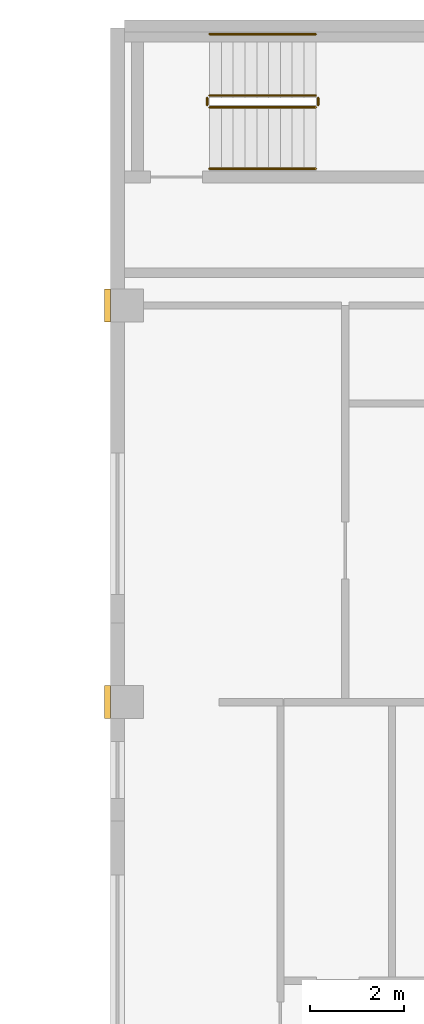
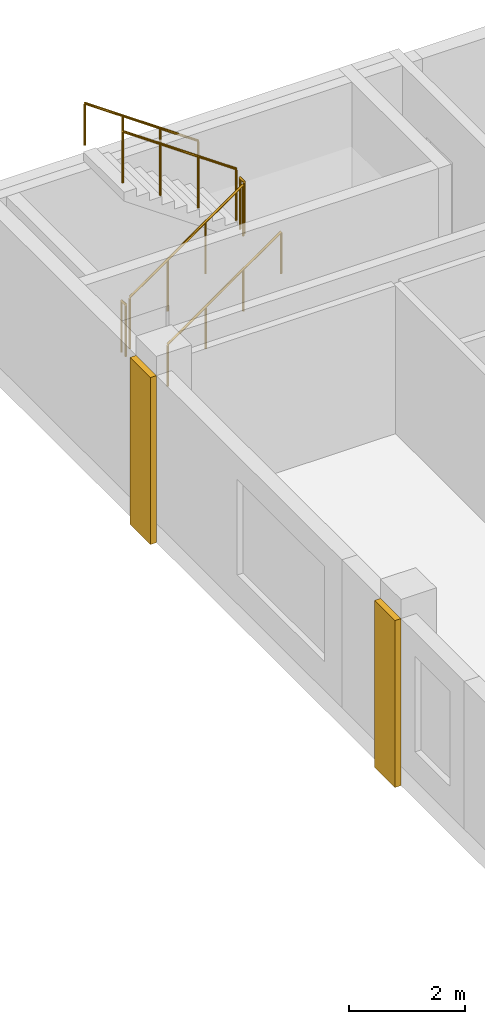
# One storey, part 10 of 10: 6 railings, 2 coverings.
"""IFC4 building model written with IfcOpenShell, lengths in metres."""

import ifcopenshell
import ifcopenshell.guid

model = None  # the IFC model being written
_history = None  # IfcOwnerHistory: only IFC2X3 demands one
_inside = {}  # id of a spatial element -> (the spatial element, [elements in it])
_under = {}  # id of a project, library or spatial element -> (it, [spatial elements below it])
_declared = {}  # id of a project -> (the project, [libraries it declares])
_typed = {}  # id of a type object -> (the type object, [elements of that type])
_made_of = {}  # id of a material, layer set ... -> (it, [elements and type objects made of it])


def new_model(schema):
    """Start an empty IFC model of exactly this schema.

    Asked for "IFC4X3", IfcOpenShell would pick the latest addendum, in which some entities
    have other attributes; the version numbers below select the first issue.
    IFC2X3 requires an IfcOwnerHistory on every rooted entity: one is made here for all.
    """
    global model, _history
    if schema == "IFC4X3":
        model = ifcopenshell.file(schema_version=(4, 3, 0, 0))
    else:
        model = ifcopenshell.file(schema=schema)
    _inside.clear()
    _under.clear()
    _declared.clear()
    _typed.clear()
    _made_of.clear()
    _history = None
    if model.schema == "IFC2X3":
        org = make("IfcOrganization", Name="unknown")
        user = make(
            "IfcPersonAndOrganization",
            ThePerson=make("IfcPerson", FamilyName="unknown"),
            TheOrganization=org,
        )
        app = make(
            "IfcApplication",
            ApplicationDeveloper=org,
            Version="unknown",
            ApplicationFullName="unknown",
            ApplicationIdentifier="unknown",
        )
        _history = make(
            "IfcOwnerHistory",
            OwningUser=user,
            OwningApplication=app,
            ChangeAction="ADDED",
            CreationDate=0,
        )
    return model


def make(cls, **values):
    """One entity of the class cls with the attributes given. An attribute that is None is left unset."""
    return model.create_entity(
        cls, **{name: value for name, value in values.items() if value is not None}
    )


def rooted(cls, **values):
    """An entity with a GlobalId (a new one), such as an element, a storey or a relation."""
    return make(cls, GlobalId=ifcopenshell.guid.new(), OwnerHistory=_history, **values)


def si_unit(unit_type, name, prefix=None):
    """IfcSIUnit, for example si_unit("LENGTHUNIT", "METRE", prefix="MILLI")."""
    return make("IfcSIUnit", UnitType=unit_type, Prefix=prefix, Name=name)


def assignment(units):
    """IfcUnitAssignment: the units of a project."""
    return None if units is None else make("IfcUnitAssignment", Units=units)


def point(xyz):
    """IfcCartesianPoint."""
    return None if xyz is None else make("IfcCartesianPoint", Coordinates=xyz)


def direction(xyz):
    """IfcDirection."""
    return None if xyz is None else make("IfcDirection", DirectionRatios=xyz)


def frame(location, z_axis=None, x_axis=None):
    """IfcAxis2Placement3D, a coordinate frame: its origin and axes. An axis left out is left unset."""
    return make(
        "IfcAxis2Placement3D",
        Location=point(location),
        Axis=direction(z_axis),
        RefDirection=direction(x_axis),
    )


def frame_2d(location, x_axis=None):
    """IfcAxis2Placement2D, a coordinate frame in the plane: its origin and x axis."""
    return make(
        "IfcAxis2Placement2D", Location=point(location), RefDirection=direction(x_axis)
    )


def origin():
    """The frame at (0, 0, 0) with its axes left unset."""
    return frame((0.0, 0.0, 0.0))


def origin_2d():
    """The frame at (0, 0) in the plane with its x axis left unset."""
    return frame_2d((0.0, 0.0))


def place(relative_to, where):
    """IfcLocalPlacement: puts the frame where relative to a parent placement (None: the world)."""
    return make(
        "IfcLocalPlacement", PlacementRelTo=relative_to, RelativePlacement=where
    )


def context(
    kind, dimensions, precision=None, world=None, true_north=None, identifier=None
):
    """IfcGeometricRepresentationContext, for example the 3D "Model" context."""
    return make(
        "IfcGeometricRepresentationContext",
        ContextIdentifier=identifier,
        ContextType=kind,
        CoordinateSpaceDimension=dimensions,
        Precision=precision,
        WorldCoordinateSystem=world,
        TrueNorth=true_north,
    )


def subcontext(parent, identifier, kind, view, scale=None):
    """IfcGeometricRepresentationSubContext, for example "Body" below "Model"."""
    return make(
        "IfcGeometricRepresentationSubContext",
        ContextIdentifier=identifier,
        ContextType=kind,
        ParentContext=parent,
        TargetScale=scale,
        TargetView=view,
    )


def project(units=None, contexts=None):
    """IfcProject with its units and contexts."""
    return rooted(
        "IfcProject",
        Name="project",
        RepresentationContexts=contexts,
        UnitsInContext=assignment(units),
    )


def spatial(cls, under=None, at=None, **own):
    """A site, building, storey or space (cls), placed at a placement, below another one or the project."""
    s = rooted(cls, ObjectPlacement=at, **own)
    if under is not None:
        _under.setdefault(under.id(), (under, []))[1].append(s)
    return s


def profile(cls, at=None, kind="AREA", **sizes):
    """A parametric profile (cls). Its sizes go by their IFC names, for example OverallWidth=200.0."""
    return make(cls, ProfileType=kind, Position=at, **sizes)


def rectangle(**sizes):
    """IfcRectangleProfileDef."""
    return profile("IfcRectangleProfileDef", **sizes)


def circle(**sizes):
    """IfcCircleProfileDef."""
    return profile("IfcCircleProfileDef", **sizes)


def extrude(swept, where, along, depth):
    """IfcExtrudedAreaSolid: the profile swept, set in the frame where, extruded along a direction by depth."""
    return make(
        "IfcExtrudedAreaSolid",
        SweptArea=swept,
        Position=where,
        ExtrudedDirection=direction(along),
        Depth=depth,
    )


def shape(context_of_items, identifier, shape_type, items):
    """IfcShapeRepresentation: the items that make up one representation, for example the "Body"."""
    return make(
        "IfcShapeRepresentation",
        ContextOfItems=context_of_items,
        RepresentationIdentifier=identifier,
        RepresentationType=shape_type,
        Items=items,
    )


def source(mapping_origin, context_of_items, identifier, shape_type, items):
    """IfcRepresentationMap: a shape defined once, which mapped items show again and again."""
    return make(
        "IfcRepresentationMap",
        MappingOrigin=mapping_origin,
        MappedRepresentation=shape(context_of_items, identifier, shape_type, items),
    )


def transform(
    local_origin,
    x_axis=None,
    y_axis=None,
    z_axis=None,
    scale=None,
    scale2=None,
    scale3=None,
    uniform=True,
):
    """IfcCartesianTransformationOperator3D, or its non-uniform kind. x_axis, y_axis, z_axis: its Axis1, 2, 3."""
    if uniform:
        return make(
            "IfcCartesianTransformationOperator3D",
            Axis1=direction(x_axis),
            Axis2=direction(y_axis),
            LocalOrigin=point(local_origin),
            Scale=scale,
            Axis3=direction(z_axis),
        )
    return make(
        "IfcCartesianTransformationOperator3DnonUniform",
        Axis1=direction(x_axis),
        Axis2=direction(y_axis),
        LocalOrigin=point(local_origin),
        Scale=scale,
        Axis3=direction(z_axis),
        Scale2=scale2,
        Scale3=scale3,
    )


def mapped(mapping_source, mapping_target):
    """IfcMappedItem: shows the shape of a source again, moved by a transform."""
    return make(
        "IfcMappedItem", MappingSource=mapping_source, MappingTarget=mapping_target
    )


def material(Name=None, Category=None):
    """IfcMaterial."""
    return make("IfcMaterial", Name=Name, Category=Category)


def made_of(thing, what):
    """Note that an element or type object is made of a material, layer set ...; save() writes the relation."""
    if what is not None:
        _made_of.setdefault(what.id(), (what, []))[1].append(thing)
    return thing


def type_object(cls, material=None, **own):
    """A type object (cls), such as IfcWallType, which elements share."""
    return made_of(rooted(cls, **own), material)


def element(
    cls,
    number,
    at=None,
    inside=None,
    cuts=None,
    type_object=None,
    material=None,
    context=None,
    identifier="Body",
    shape_type=None,
    held_by="IfcProductDefinitionShape",
    body=None,
    shapes=None,
    **own,
):
    """One element of the class cls, such as IfcWall. Its Tag is "e" and its number.

    at: its placement. inside: the storey or other place that contains it. cuts: it is an
    opening in that element (IfcRelVoidsElement). A single representation is given by context,
    identifier, shape_type and body (its items); several are given by shapes. held_by: the class
    of the entity that holds the representations. save() writes the other relations.
    """
    e = rooted(cls, Tag="e%d" % number, ObjectPlacement=at, **own)
    if body is not None:
        shapes = [shape(context, identifier, shape_type, body)]
    if shapes is not None:
        e.Representation = make(held_by, Representations=shapes)
    if inside is not None:
        _inside.setdefault(inside.id(), (inside, []))[1].append(e)
    if cuts is not None:
        rooted(
            "IfcRelVoidsElement", RelatingBuildingElement=cuts, RelatedOpeningElement=e
        )
    if type_object is not None:
        _typed.setdefault(type_object.id(), (type_object, []))[1].append(e)
    return made_of(e, material)


def aggregate(whole, parts):
    """IfcRelAggregates: a whole, such as a stair, and the parts it consists of."""
    return rooted("IfcRelAggregates", RelatingObject=whole, RelatedObjects=parts)


def save(model, path):
    """Write the relations noted so far, then the file.

    IfcRelAggregates (storeys below a building ...), IfcRelContainedInSpatialStructure (elements
    in a storey), IfcRelDefinesByType, IfcRelAssociatesMaterial and IfcRelDeclares: one each for
    every whole, place, type object, material and project.
    """
    for whole, parts in _under.values():
        aggregate(whole, parts)
    for where, things in _inside.values():
        rooted(
            "IfcRelContainedInSpatialStructure",
            RelatedElements=things,
            RelatingStructure=where,
        )
    for kind, things in _typed.values():
        rooted("IfcRelDefinesByType", RelatedObjects=things, RelatingType=kind)
    for what, things in _made_of.values():
        rooted("IfcRelAssociatesMaterial", RelatedObjects=things, RelatingMaterial=what)
    for by, libraries in _declared.values():
        rooted("IfcRelDeclares", RelatingContext=by, RelatedDefinitions=libraries)
    model.write(path)


model = new_model("IFC4")

# Units and contexts
model_context = context("Model", 3, precision=1e-05, world=origin(), true_north=direction((0.0, 1.0)))
body_context = subcontext(model_context, "Body", "Model", "MODEL_VIEW")
ifc_project = project(units=[si_unit("LENGTHUNIT", "METRE"), si_unit("AREAUNIT", "SQUARE_METRE"), si_unit("VOLUMEUNIT", "CUBIC_METRE"), si_unit("PLANEANGLEUNIT", "RADIAN"), si_unit("MASSUNIT", "GRAM", prefix="KILO")], contexts=[model_context])

# Site, building, storey
site_placement = place(None, origin())
site = spatial("IfcSite", under=ifc_project, at=site_placement, CompositionType="ELEMENT")
building_placement = place(site_placement, origin())
building = spatial("IfcBuilding", under=site, at=building_placement, Name="Aurelian Terraces", CompositionType="ELEMENT")
storey_placement = place(building_placement, frame((0.0, 0.0, 288.0)))
storey = spatial("IfcBuildingStorey", under=building, at=storey_placement, Name="L65", CompositionType="ELEMENT", Elevation=288.0)

# Coverings
ifc_material_1 = material(Name="Terracotta rainscreen cladding relief", Category="masonry")
covering_type = type_object("IfcCoveringType", Name="BAGUETTE-TC", PredefinedType="CLADDING", material=ifc_material_1)
shared_shape_1 = source(origin(), body_context, "Body", "SweptSolid", [
    extrude(rectangle(XDim=0.12, YDim=0.7, at=origin_2d()), origin(), (0.0, 0.0, 1.0), 3.5),
])
for number, where, z_axis, x_axis, name in (
    (1, (10.44, 29.4, -0.4), (0.0, 0.0, 1.0), (1.0, 0.0, 0.0), "BAGUETTE pier L65 6"),
    (2, (10.44, 37.8, -0.4), (0.0, 0.0, 1.0), (1.0, 0.0, 0.0), "BAGUETTE pier L65 7"),
):
    element("IfcCovering", number, at=place(storey_placement, frame(where, z_axis=z_axis, x_axis=x_axis)), inside=storey, type_object=covering_type, Name=name, PredefinedType="CLADDING", context=body_context, shape_type="MappedRepresentation", body=[
        mapped(shared_shape_1, transform((0.0, 0.0, 0.0), scale=1.0)),
    ])

# Railings
ifc_material_2 = material(Name="Stainless steel", Category="steel")
railing_type_1 = type_object("IfcRailingType", Name="Stair guard 1100", PredefinedType="GUARDRAIL", material=ifc_material_2)
shared_shape_2 = source(origin(), body_context, "Body", "SweptSolid", [
    extrude(circle(Radius=0.024, at=origin_2d()), frame((0.0, 0.0, 1.076), z_axis=(0.0, 1.0, 0.0), x_axis=(-1.0, 0.0, 0.0)), (0.0, 0.0, 1.0), 0.15),
    extrude(circle(Radius=0.021, at=origin_2d()), origin(), (0.0, 0.0, 1.0), 1.052),
    extrude(circle(Radius=0.021, at=origin_2d()), frame((0.0, 0.15, 0.0)), (0.0, 0.0, 1.0), 1.052),
])
for number, where, name in (
    (3, (14.9, 42.05, 1.75), "L65 S3U stair guard 2"),
    (4, (12.55, 42.05, 0.0), "L65 S3U stair guard 4"),
):
    element("IfcRailing", number, at=place(storey_placement, frame(where)), inside=storey, type_object=railing_type_1, Name=name, PredefinedType="GUARDRAIL", context=body_context, shape_type="MappedRepresentation", body=[
        mapped(shared_shape_2, transform((0.0, 0.0, 0.0), scale=1.0)),
    ])
shared_shape_3 = source(origin(), body_context, "Body", "SweptSolid", [
    extrude(circle(Radius=0.024, at=origin_2d()), frame((0.0, 0.0, 1.076), z_axis=(0.819231920519, 0.0, 0.573462344363), x_axis=(0.0, 1.0, 0.0)), (0.0, 0.0, 1.0), 2.7465),
    extrude(circle(Radius=0.021, at=origin_2d()), origin(), (0.0, 0.0, 1.0), 1.052),
    extrude(circle(Radius=0.021, at=origin_2d()), frame((0.75, 0.0, 0.525)), (0.0, 0.0, 1.0), 1.052),
    extrude(circle(Radius=0.021, at=origin_2d()), frame((1.5, 0.0, 1.05)), (0.0, 0.0, 1.0), 1.052),
    extrude(circle(Radius=0.021, at=origin_2d()), frame((2.25, 0.0, 1.575)), (0.0, 0.0, 1.0), 1.052),
])
railing_1_placement = place(storey_placement, frame((12.6, 42.0, 0.175)))
element("IfcRailing", 5, at=railing_1_placement, inside=storey, type_object=railing_type_1, Name="L65 S3U stair guard 1", PredefinedType="GUARDRAIL", context=body_context, shape_type="MappedRepresentation", body=[
    mapped(shared_shape_3, transform((0.0, 0.0, 0.0), scale=1.0)),
])
shared_shape_4 = source(origin(), body_context, "Body", "SweptSolid", [
    extrude(circle(Radius=0.024, at=origin_2d()), frame((0.0, 0.0, 1.076), z_axis=(-0.819231920519, 0.0, 0.573462344363), x_axis=(0.0, -1.0, 0.0)), (0.0, 0.0, 1.0), 2.7465),
    extrude(circle(Radius=0.021, at=origin_2d()), origin(), (0.0, 0.0, 1.0), 1.052),
    extrude(circle(Radius=0.021, at=origin_2d()), frame((-0.75, 0.0, 0.525)), (0.0, 0.0, 1.0), 1.052),
    extrude(circle(Radius=0.021, at=origin_2d()), frame((-1.5, 0.0, 1.05)), (0.0, 0.0, 1.0), 1.052),
    extrude(circle(Radius=0.021, at=origin_2d()), frame((-2.25, 0.0, 1.575)), (0.0, 0.0, 1.0), 1.052),
])
railing_2_placement = place(storey_placement, frame((14.85, 42.25, 1.925)))
element("IfcRailing", 6, at=railing_2_placement, inside=storey, type_object=railing_type_1, Name="L65 S3U stair guard 3", PredefinedType="GUARDRAIL", context=body_context, shape_type="MappedRepresentation", body=[
    mapped(shared_shape_4, transform((0.0, 0.0, 0.0), scale=1.0)),
])
railing_type_2 = type_object("IfcRailingType", Name="Stair handrail", PredefinedType="HANDRAIL", material=ifc_material_2)
shared_shape_5 = source(origin(), body_context, "Body", "SweptSolid", [
    extrude(circle(Radius=0.024, at=origin_2d()), frame((0.0, 0.0, 0.876), z_axis=(0.819231920519, 0.0, 0.573462344363), x_axis=(0.0, 1.0, 0.0)), (0.0, 0.0, 1.0), 2.7465),
    extrude(circle(Radius=0.021, at=origin_2d()), origin(), (0.0, 0.0, 1.0), 0.852),
    extrude(circle(Radius=0.021, at=origin_2d()), frame((0.75, 0.0, 0.525)), (0.0, 0.0, 1.0), 0.852),
    extrude(circle(Radius=0.021, at=origin_2d()), frame((1.5, 0.0, 1.05)), (0.0, 0.0, 1.0), 0.852),
    extrude(circle(Radius=0.021, at=origin_2d()), frame((2.25, 0.0, 1.575)), (0.0, 0.0, 1.0), 0.852),
])
railing_3_placement = place(storey_placement, frame((12.6, 40.7, 0.175)))
element("IfcRailing", 7, at=railing_3_placement, inside=storey, type_object=railing_type_2, Name="L65 S3U stair handrail 1", PredefinedType="HANDRAIL", context=body_context, shape_type="MappedRepresentation", body=[
    mapped(shared_shape_5, transform((0.0, 0.0, 0.0), scale=1.0)),
])
shared_shape_6 = source(origin(), body_context, "Body", "SweptSolid", [
    extrude(circle(Radius=0.024, at=origin_2d()), frame((0.0, 0.0, 0.876), z_axis=(-0.819231920519, 0.0, 0.573462344363), x_axis=(0.0, -1.0, 0.0)), (0.0, 0.0, 1.0), 2.7465),
    extrude(circle(Radius=0.021, at=origin_2d()), origin(), (0.0, 0.0, 1.0), 0.852),
    extrude(circle(Radius=0.021, at=origin_2d()), frame((-0.75, 0.0, 0.525)), (0.0, 0.0, 1.0), 0.852),
    extrude(circle(Radius=0.021, at=origin_2d()), frame((-1.5, 0.0, 1.05)), (0.0, 0.0, 1.0), 0.852),
    extrude(circle(Radius=0.021, at=origin_2d()), frame((-2.25, 0.0, 1.575)), (0.0, 0.0, 1.0), 0.852),
])
railing_4_placement = place(storey_placement, frame((14.85, 43.55, 1.925)))
element("IfcRailing", 8, at=railing_4_placement, inside=storey, type_object=railing_type_2, Name="L65 S3U stair handrail 2", PredefinedType="HANDRAIL", context=body_context, shape_type="MappedRepresentation", body=[
    mapped(shared_shape_6, transform((0.0, 0.0, 0.0), scale=1.0)),
])

save(model, "model.ifc")
